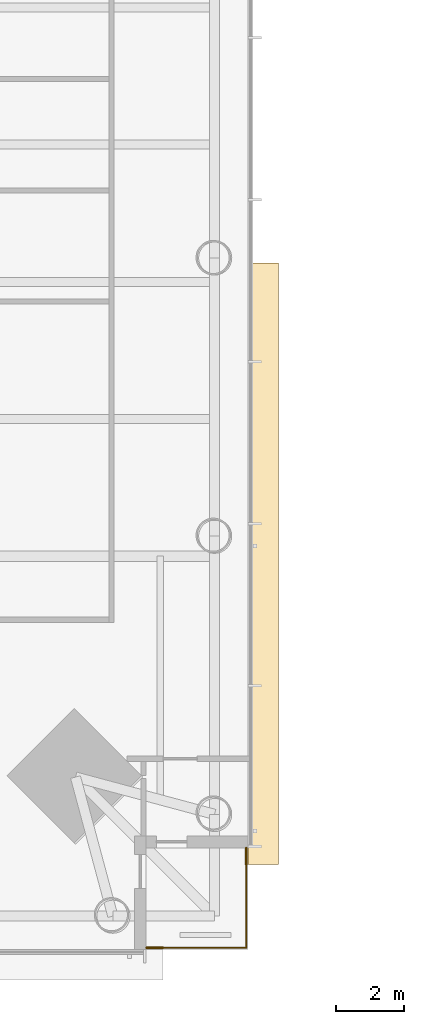
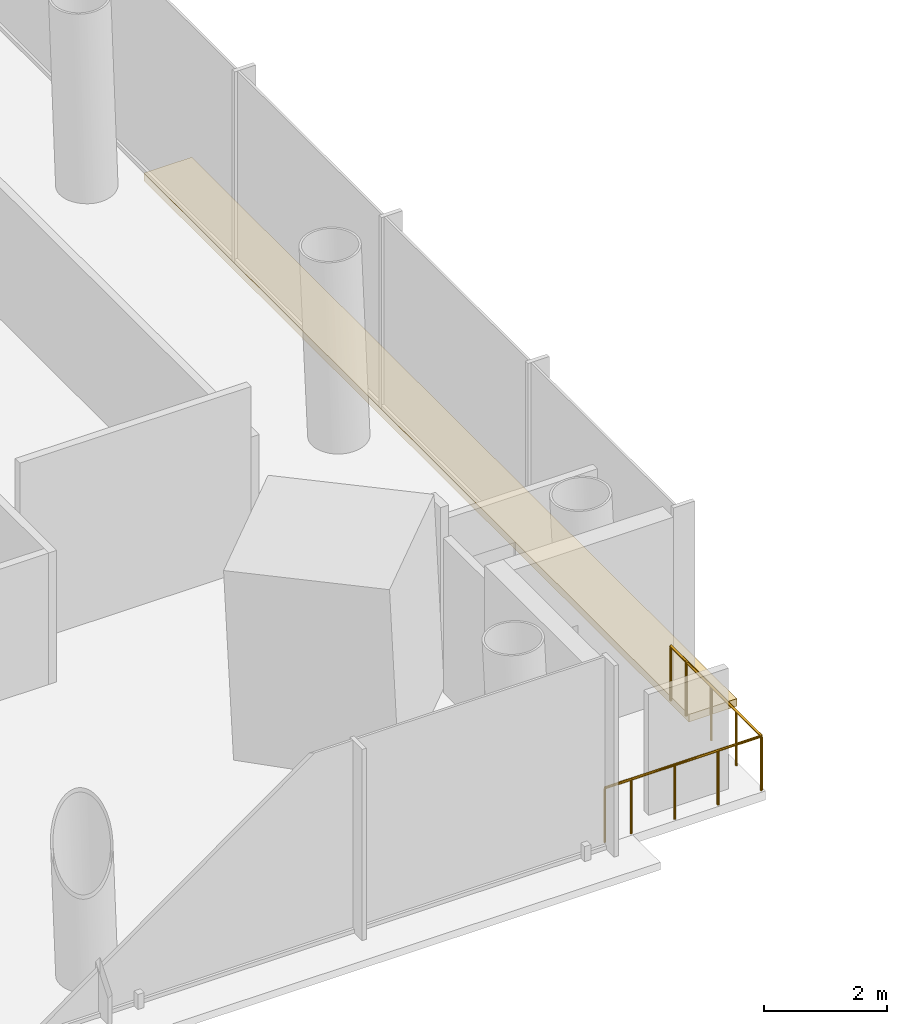
# One storey, part 24 of 26: 3 railings, 1 covering.
"""IFC4 building model written with IfcOpenShell, lengths in metres."""

from ifc_helpers import new_model, si_unit, direction, frame, origin, origin_2d, place, context, subcontext, project, spatial, polyline, circle, outline, extrude, material, layer, layer_set, type_object, element, save


model = new_model("IFC4")

# Units and contexts
model_context = context("Model", 3, precision=1e-05, world=origin(), true_north=direction((0.0, 1.0)))
body_context = subcontext(model_context, "Body", "Model", "MODEL_VIEW")
ifc_project = project(units=[si_unit("LENGTHUNIT", "METRE"), si_unit("AREAUNIT", "SQUARE_METRE"), si_unit("VOLUMEUNIT", "CUBIC_METRE"), si_unit("PLANEANGLEUNIT", "RADIAN"), si_unit("MASSUNIT", "GRAM", prefix="KILO")], contexts=[model_context])

# Site, building, storey
site_placement = place(None, origin())
site = spatial("IfcSite", under=ifc_project, at=site_placement, CompositionType="ELEMENT")
building_placement = place(site_placement, origin())
building = spatial("IfcBuilding", under=site, at=building_placement, Name="Ostroluk Exchange", CompositionType="ELEMENT")
storey_placement = place(building_placement, frame((0.0, 0.0, 36.199951171875)))
storey = spatial("IfcBuildingStorey", under=building, at=storey_placement, Name="L08", CompositionType="ELEMENT", Elevation=36.199951171875)

# Railings
ifc_material_1 = material(Name="Stainless steel", Category="steel")
railing_type_1 = type_object("IfcRailingType", Name="Guard 1100 stainless steel", PredefinedType="GUARDRAIL", material=ifc_material_1)
railing_1_placement = place(storey_placement, frame((67.0, 21.550048828125, 0.0)))
element("IfcRailing", 1, at=railing_1_placement, inside=storey, type_object=railing_type_1, Name="Office tower SE balcony guard L08", PredefinedType="GUARDRAIL", context=body_context, shape_type="SweptSolid", body=[
    extrude(circle(Radius=0.02392578125, at=origin_2d()), frame((0.0, 0.0, 1.076171875), z_axis=(1.0, 0.0, 0.0), x_axis=(0.0, 1.0, 0.0)), (0.0, 0.0, 1.0), 2.449951171875),
    extrude(circle(Radius=0.02392578125, at=origin_2d()), frame((2.449951171875, 0.0, 1.076171875), z_axis=(0.0, 1.0, 0.0), x_axis=(-1.0, 0.0, 0.0)), (0.0, 0.0, 1.0), 2.449951171875),
    extrude(circle(Radius=0.02099609375, at=origin_2d()), origin(), (0.0, 0.0, 1.0), 1.052001953125),
    extrude(circle(Radius=0.02099609375, at=origin_2d()), frame((0.816650390625, 0.0, 0.0)), (0.0, 0.0, 1.0), 1.052001953125),
    extrude(circle(Radius=0.02099609375, at=origin_2d()), frame((1.63330078125, 0.0, 0.0)), (0.0, 0.0, 1.0), 1.052001953125),
    extrude(circle(Radius=0.02099609375, at=origin_2d()), frame((2.449951171875, 0.0, 0.0)), (0.0, 0.0, 1.0), 1.052001953125),
    extrude(circle(Radius=0.02099609375, at=origin_2d()), frame((2.449951171875, 0.816650390625, 0.0)), (0.0, 0.0, 1.0), 1.052001953125),
    extrude(circle(Radius=0.02099609375, at=origin_2d()), frame((2.449951171875, 1.63330078125, 0.0)), (0.0, 0.0, 1.0), 1.052001953125),
    extrude(circle(Radius=0.02099609375, at=origin_2d()), frame((2.449951171875, 2.449951171875, 0.0)), (0.0, 0.0, 1.0), 1.052001953125),
])
ifc_material_2 = material(Name="Stainless steel", Category="steel")
railing_type_2 = type_object("IfcRailingType", Name="Lockable maintenance gate 1100", PredefinedType="GUARDRAIL", material=ifc_material_2)
railing_2_placement = place(storey_placement, frame((66.5, 21.550048828125, 0.0)))
element("IfcRailing", 2, at=railing_2_placement, inside=storey, type_object=railing_type_2, Name="Lockable maintenance gate T1 L08 SE", PredefinedType="GUARDRAIL", context=body_context, shape_type="SweptSolid", body=[
    extrude(circle(Radius=0.02392578125, at=origin_2d()), frame((0.0, 0.0, 1.076171875), z_axis=(1.0, 0.0, 0.0), x_axis=(0.0, 1.0, 0.0)), (0.0, 0.0, 1.0), 0.5),
    extrude(circle(Radius=0.02099609375, at=origin_2d()), origin(), (0.0, 0.0, 1.0), 1.052001953125),
    extrude(circle(Radius=0.02099609375, at=origin_2d()), frame((0.5, 0.0, 0.0)), (0.0, 0.0, 1.0), 1.052001953125),
])
railing_3_placement = place(storey_placement, frame((69.449951171875, 24.0, 0.0)))
element("IfcRailing", 3, at=railing_3_placement, inside=storey, type_object=railing_type_2, Name="Lockable maintenance gate T1 L08 SE", PredefinedType="GUARDRAIL", context=body_context, shape_type="SweptSolid", body=[
    extrude(circle(Radius=0.02392578125, at=origin_2d()), frame((0.0, 0.0, 1.076171875), z_axis=(0.0, 1.0, 0.0), x_axis=(-1.0, 0.0, 0.0)), (0.0, 0.0, 1.0), 0.5),
    extrude(circle(Radius=0.02099609375, at=origin_2d()), origin(), (0.0, 0.0, 1.0), 1.052001953125),
    extrude(circle(Radius=0.02099609375, at=origin_2d()), frame((0.0, 0.5, 0.0)), (0.0, 0.0, 1.0), 1.052001953125),
])

# Covering
ifc_material_3 = material(Name="Insulated steel roof deck with membrane, laid to falls, aluminium coping", Category="steel")
ifc_layer = layer(ifc_material_3, 0.14990234375)
ifc_layer_set = layer_set([ifc_layer], Name="Setback maintenance roof")
covering_type = type_object("IfcCoveringType", Name="Setback maintenance roof", PredefinedType="ROOFING", material=ifc_layer_set)
covering_placement = place(storey_placement, frame((0.0, 0.0, -0.14990234375)))
element("IfcCovering", 4, at=covering_placement, inside=storey, type_object=covering_type, Name="Maintenance roof, setback L08 east", PredefinedType="ROOFING", context=body_context, shape_type="SweptSolid", body=[
    extrude(outline(polyline([(69.5, 41.75), (70.39990234375, 41.75), (70.39990234375, 24.0), (69.5, 24.0), (69.5, 41.75)])), origin(), (0.0, 0.0, 1.0), 0.14990234375),
])

save(model, "model.ifc")
